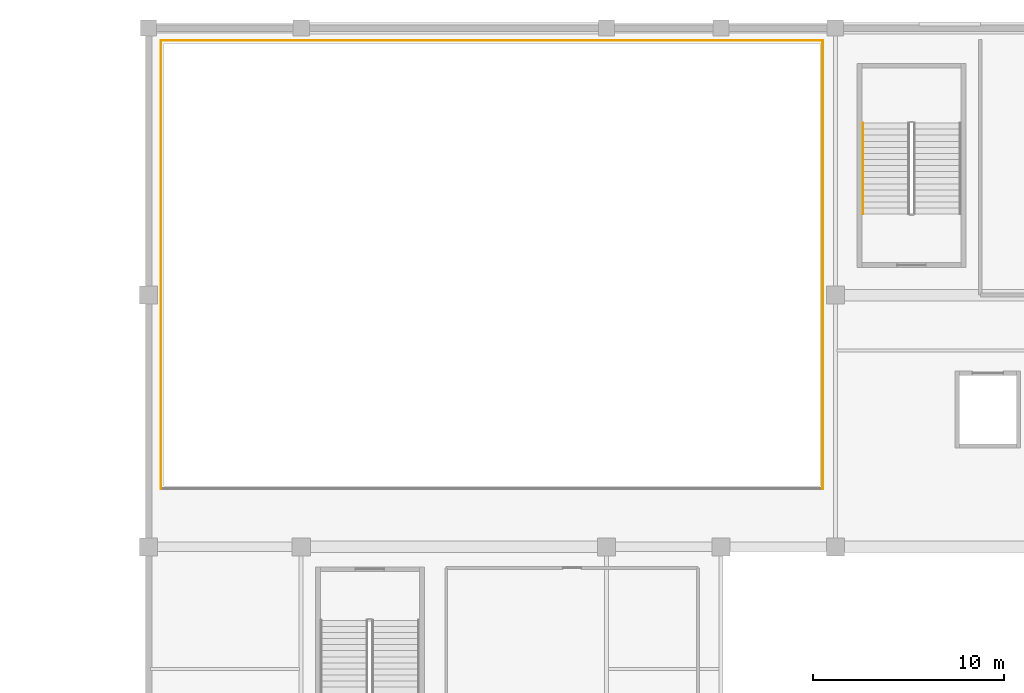
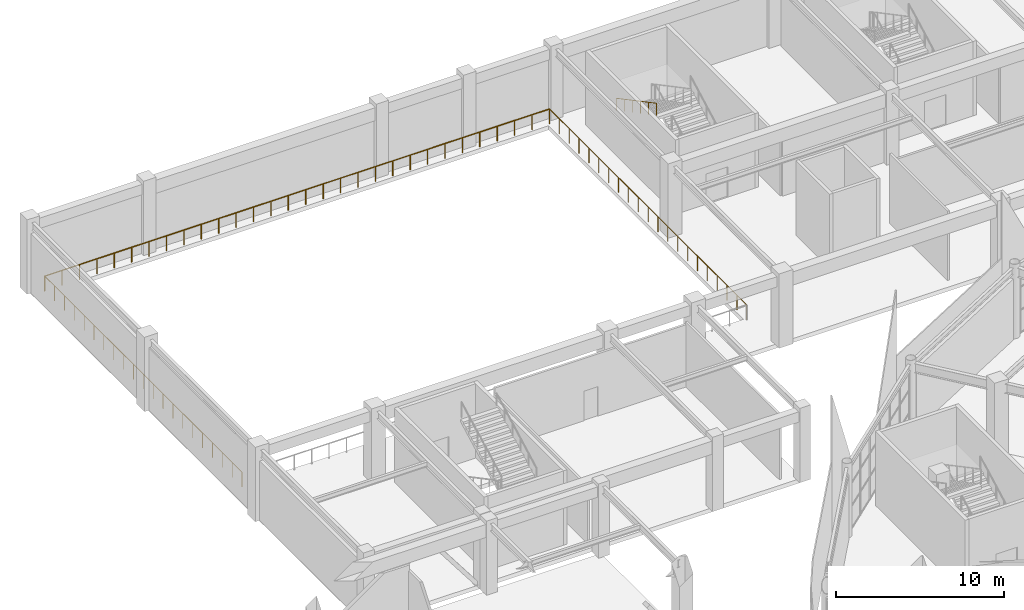
# One storey, part 117 of 120: 4 railings.
"""IFC4 building model written with IfcOpenShell, lengths in metres."""

from ifc_helpers import new_model, si_unit, direction, frame, origin, origin_2d, place, context, subcontext, project, spatial, circle, extrude, material, type_object, element, save


model = new_model("IFC4")

# Units and contexts
model_context = context("Model", 3, precision=1e-05, world=origin(), true_north=direction((0.0, 1.0)))
body_context = subcontext(model_context, "Body", "Model", "MODEL_VIEW")
ifc_project = project(units=[si_unit("LENGTHUNIT", "METRE"), si_unit("AREAUNIT", "SQUARE_METRE"), si_unit("VOLUMEUNIT", "CUBIC_METRE"), si_unit("PLANEANGLEUNIT", "RADIAN"), si_unit("MASSUNIT", "GRAM", prefix="KILO")], contexts=[model_context])

# Site, building, storey
site_placement = place(None, origin())
site = spatial("IfcSite", under=ifc_project, at=site_placement, CompositionType="ELEMENT")
building_placement = place(site_placement, origin())
building = spatial("IfcBuilding", under=site, at=building_placement, Name="Cuetzalor Civic Arena", CompositionType="ELEMENT")
storey_placement = place(building_placement, frame((0.0, 0.0, 6.0)))
storey = spatial("IfcBuildingStorey", under=building, at=storey_placement, Name="L01", CompositionType="ELEMENT", Elevation=6.0)

# Railings
ifc_material_1 = material(Name="Reseda-green architectural Steel S355 balustrade", Category="steel")
railing_type_1 = type_object("IfcRailingType", Name="InteriorVoidBalustrade_1100", PredefinedType="BALUSTRADE", material=ifc_material_1)
railing_1_placement = place(storey_placement, frame((-36.64990234375, 51.35009765625, 0.0)))
element("IfcRailing", 1, at=railing_1_placement, inside=storey, type_object=railing_type_1, Name="Practice Court Mezzanine Void Balustrade L01-2", PredefinedType="BALUSTRADE", context=body_context, shape_type="SweptSolid", body=[
    extrude(circle(Radius=0.02392578125, at=origin_2d()), frame((0.0, 0.0, 1.076171875), z_axis=(0.0, 1.0, 0.0), x_axis=(-1.0, 0.0, 0.0)), (0.0, 0.0, 1.0), 23.5),
    extrude(circle(Radius=0.02099609375, at=origin_2d()), origin(), (0.0, 0.0, 1.0), 1.052001953125),
    extrude(circle(Radius=0.02099609375, at=origin_2d()), frame((0.0, 1.175048828125, 0.0)), (0.0, 0.0, 1.0), 1.052001953125),
    extrude(circle(Radius=0.02099609375, at=origin_2d()), frame((0.0, 2.35009765625, 0.0)), (0.0, 0.0, 1.0), 1.052001953125),
    extrude(circle(Radius=0.02099609375, at=origin_2d()), frame((0.0, 3.52490234375, 0.0)), (0.0, 0.0, 1.0), 1.052001953125),
    extrude(circle(Radius=0.02099609375, at=origin_2d()), frame((0.0, 4.699951171875, 0.0)), (0.0, 0.0, 1.0), 1.052001953125),
    extrude(circle(Radius=0.02099609375, at=origin_2d()), frame((0.0, 5.875, 0.0)), (0.0, 0.0, 1.0), 1.052001953125),
    extrude(circle(Radius=0.02099609375, at=origin_2d()), frame((0.0, 7.050048828125, 0.0)), (0.0, 0.0, 1.0), 1.052001953125),
    extrude(circle(Radius=0.02099609375, at=origin_2d()), frame((0.0, 8.22509765625, 0.0)), (0.0, 0.0, 1.0), 1.052001953125),
    extrude(circle(Radius=0.02099609375, at=origin_2d()), frame((0.0, 9.39990234375, 0.0)), (0.0, 0.0, 1.0), 1.052001953125),
    extrude(circle(Radius=0.02099609375, at=origin_2d()), frame((0.0, 10.574951171875, 0.0)), (0.0, 0.0, 1.0), 1.052001953125),
    extrude(circle(Radius=0.02099609375, at=origin_2d()), frame((0.0, 11.75, 0.0)), (0.0, 0.0, 1.0), 1.052001953125),
    extrude(circle(Radius=0.02099609375, at=origin_2d()), frame((0.0, 12.925048828125, 0.0)), (0.0, 0.0, 1.0), 1.052001953125),
    extrude(circle(Radius=0.02099609375, at=origin_2d()), frame((0.0, 14.10009765625, 0.0)), (0.0, 0.0, 1.0), 1.052001953125),
    extrude(circle(Radius=0.02099609375, at=origin_2d()), frame((0.0, 15.27490234375, 0.0)), (0.0, 0.0, 1.0), 1.052001953125),
    extrude(circle(Radius=0.02099609375, at=origin_2d()), frame((0.0, 16.449951171875, 0.0)), (0.0, 0.0, 1.0), 1.052001953125),
    extrude(circle(Radius=0.02099609375, at=origin_2d()), frame((0.0, 17.625, 0.0)), (0.0, 0.0, 1.0), 1.052001953125),
    extrude(circle(Radius=0.02099609375, at=origin_2d()), frame((0.0, 18.800048828125, 0.0)), (0.0, 0.0, 1.0), 1.052001953125),
    extrude(circle(Radius=0.02099609375, at=origin_2d()), frame((0.0, 19.97509765625, 0.0)), (0.0, 0.0, 1.0), 1.052001953125),
    extrude(circle(Radius=0.02099609375, at=origin_2d()), frame((0.0, 21.14990234375, 0.0)), (0.0, 0.0, 1.0), 1.052001953125),
    extrude(circle(Radius=0.02099609375, at=origin_2d()), frame((0.0, 22.324951171875, 0.0)), (0.0, 0.0, 1.0), 1.052001953125),
    extrude(circle(Radius=0.02099609375, at=origin_2d()), frame((0.0, 23.5, 0.0)), (0.0, 0.0, 1.0), 1.052001953125),
])
railing_2_placement = place(storey_placement, frame((-36.64990234375, 74.85009765625, 0.0)))
element("IfcRailing", 2, at=railing_2_placement, inside=storey, type_object=railing_type_1, Name="Practice Court Mezzanine Void Balustrade L01-3", PredefinedType="BALUSTRADE", context=body_context, shape_type="SweptSolid", body=[
    extrude(circle(Radius=0.02392578125, at=origin_2d()), frame((0.0, 0.0, 1.076171875), z_axis=(-1.0, 0.0, 0.0), x_axis=(0.0, -1.0, 0.0)), (0.0, 0.0, 1.0), 34.7001953125),
    extrude(circle(Radius=0.02099609375, at=origin_2d()), origin(), (0.0, 0.0, 1.0), 1.052001953125),
    extrude(circle(Radius=0.02099609375, at=origin_2d()), frame((-1.196533203125, 0.0, 0.0)), (0.0, 0.0, 1.0), 1.052001953125),
    extrude(circle(Radius=0.02099609375, at=origin_2d()), frame((-2.39306640625, 0.0, 0.0)), (0.0, 0.0, 1.0), 1.052001953125),
    extrude(circle(Radius=0.02099609375, at=origin_2d()), frame((-3.589599609375, 0.0, 0.0)), (0.0, 0.0, 1.0), 1.052001953125),
    extrude(circle(Radius=0.02099609375, at=origin_2d()), frame((-4.7861328125, 0.0, 0.0)), (0.0, 0.0, 1.0), 1.052001953125),
    extrude(circle(Radius=0.02099609375, at=origin_2d()), frame((-5.98291015625, 0.0, 0.0)), (0.0, 0.0, 1.0), 1.052001953125),
    extrude(circle(Radius=0.02099609375, at=origin_2d()), frame((-7.179443359375, 0.0, 0.0)), (0.0, 0.0, 1.0), 1.052001953125),
    extrude(circle(Radius=0.02099609375, at=origin_2d()), frame((-8.3759765625, 0.0, 0.0)), (0.0, 0.0, 1.0), 1.052001953125),
    extrude(circle(Radius=0.02099609375, at=origin_2d()), frame((-9.572509765625, 0.0, 0.0)), (0.0, 0.0, 1.0), 1.052001953125),
    extrude(circle(Radius=0.02099609375, at=origin_2d()), frame((-10.76904296875, 0.0, 0.0)), (0.0, 0.0, 1.0), 1.052001953125),
    extrude(circle(Radius=0.02099609375, at=origin_2d()), frame((-11.965576171875, 0.0, 0.0)), (0.0, 0.0, 1.0), 1.052001953125),
    extrude(circle(Radius=0.02099609375, at=origin_2d()), frame((-13.162109375, 0.0, 0.0)), (0.0, 0.0, 1.0), 1.052001953125),
    extrude(circle(Radius=0.02099609375, at=origin_2d()), frame((-14.358642578125, 0.0, 0.0)), (0.0, 0.0, 1.0), 1.052001953125),
    extrude(circle(Radius=0.02099609375, at=origin_2d()), frame((-15.55517578125, 0.0, 0.0)), (0.0, 0.0, 1.0), 1.052001953125),
    extrude(circle(Radius=0.02099609375, at=origin_2d()), frame((-16.751708984375, 0.0, 0.0)), (0.0, 0.0, 1.0), 1.052001953125),
    extrude(circle(Radius=0.02099609375, at=origin_2d()), frame((-17.948486328125, 0.0, 0.0)), (0.0, 0.0, 1.0), 1.052001953125),
    extrude(circle(Radius=0.02099609375, at=origin_2d()), frame((-19.14501953125, 0.0, 0.0)), (0.0, 0.0, 1.0), 1.052001953125),
    extrude(circle(Radius=0.02099609375, at=origin_2d()), frame((-20.341552734375, 0.0, 0.0)), (0.0, 0.0, 1.0), 1.052001953125),
    extrude(circle(Radius=0.02099609375, at=origin_2d()), frame((-21.5380859375, 0.0, 0.0)), (0.0, 0.0, 1.0), 1.052001953125),
    extrude(circle(Radius=0.02099609375, at=origin_2d()), frame((-22.734619140625, 0.0, 0.0)), (0.0, 0.0, 1.0), 1.052001953125),
    extrude(circle(Radius=0.02099609375, at=origin_2d()), frame((-23.93115234375, 0.0, 0.0)), (0.0, 0.0, 1.0), 1.052001953125),
    extrude(circle(Radius=0.02099609375, at=origin_2d()), frame((-25.127685546875, 0.0, 0.0)), (0.0, 0.0, 1.0), 1.052001953125),
    extrude(circle(Radius=0.02099609375, at=origin_2d()), frame((-26.32421875, 0.0, 0.0)), (0.0, 0.0, 1.0), 1.052001953125),
    extrude(circle(Radius=0.02099609375, at=origin_2d()), frame((-27.520751953125, 0.0, 0.0)), (0.0, 0.0, 1.0), 1.052001953125),
    extrude(circle(Radius=0.02099609375, at=origin_2d()), frame((-28.71728515625, 0.0, 0.0)), (0.0, 0.0, 1.0), 1.052001953125),
    extrude(circle(Radius=0.02099609375, at=origin_2d()), frame((-29.9140625, 0.0, 0.0)), (0.0, 0.0, 1.0), 1.052001953125),
    extrude(circle(Radius=0.02099609375, at=origin_2d()), frame((-31.110595703125, 0.0, 0.0)), (0.0, 0.0, 1.0), 1.052001953125),
    extrude(circle(Radius=0.02099609375, at=origin_2d()), frame((-32.30712890625, 0.0, 0.0)), (0.0, 0.0, 1.0), 1.052001953125),
    extrude(circle(Radius=0.02099609375, at=origin_2d()), frame((-33.503662109375, 0.0, 0.0)), (0.0, 0.0, 1.0), 1.052001953125),
    extrude(circle(Radius=0.02099609375, at=origin_2d()), frame((-34.7001953125, 0.0, 0.0)), (0.0, 0.0, 1.0), 1.052001953125),
])
railing_3_placement = place(storey_placement, frame((-71.35009765625, 74.85009765625, 0.0)))
element("IfcRailing", 3, at=railing_3_placement, inside=storey, type_object=railing_type_1, Name="Practice Court Mezzanine Void Balustrade L01-4", PredefinedType="BALUSTRADE", context=body_context, shape_type="SweptSolid", body=[
    extrude(circle(Radius=0.02392578125, at=origin_2d()), frame((0.0, 0.0, 1.076171875), z_axis=(0.0, -1.0, 0.0), x_axis=(1.0, 0.0, 0.0)), (0.0, 0.0, 1.0), 23.5),
    extrude(circle(Radius=0.02099609375, at=origin_2d()), origin(), (0.0, 0.0, 1.0), 1.052001953125),
    extrude(circle(Radius=0.02099609375, at=origin_2d()), frame((0.0, -1.175048828125, 0.0)), (0.0, 0.0, 1.0), 1.052001953125),
    extrude(circle(Radius=0.02099609375, at=origin_2d()), frame((0.0, -2.35009765625, 0.0)), (0.0, 0.0, 1.0), 1.052001953125),
    extrude(circle(Radius=0.02099609375, at=origin_2d()), frame((0.0, -3.52490234375, 0.0)), (0.0, 0.0, 1.0), 1.052001953125),
    extrude(circle(Radius=0.02099609375, at=origin_2d()), frame((0.0, -4.699951171875, 0.0)), (0.0, 0.0, 1.0), 1.052001953125),
    extrude(circle(Radius=0.02099609375, at=origin_2d()), frame((0.0, -5.875, 0.0)), (0.0, 0.0, 1.0), 1.052001953125),
    extrude(circle(Radius=0.02099609375, at=origin_2d()), frame((0.0, -7.050048828125, 0.0)), (0.0, 0.0, 1.0), 1.052001953125),
    extrude(circle(Radius=0.02099609375, at=origin_2d()), frame((0.0, -8.22509765625, 0.0)), (0.0, 0.0, 1.0), 1.052001953125),
    extrude(circle(Radius=0.02099609375, at=origin_2d()), frame((0.0, -9.39990234375, 0.0)), (0.0, 0.0, 1.0), 1.052001953125),
    extrude(circle(Radius=0.02099609375, at=origin_2d()), frame((0.0, -10.574951171875, 0.0)), (0.0, 0.0, 1.0), 1.052001953125),
    extrude(circle(Radius=0.02099609375, at=origin_2d()), frame((0.0, -11.75, 0.0)), (0.0, 0.0, 1.0), 1.052001953125),
    extrude(circle(Radius=0.02099609375, at=origin_2d()), frame((0.0, -12.925048828125, 0.0)), (0.0, 0.0, 1.0), 1.052001953125),
    extrude(circle(Radius=0.02099609375, at=origin_2d()), frame((0.0, -14.10009765625, 0.0)), (0.0, 0.0, 1.0), 1.052001953125),
    extrude(circle(Radius=0.02099609375, at=origin_2d()), frame((0.0, -15.27490234375, 0.0)), (0.0, 0.0, 1.0), 1.052001953125),
    extrude(circle(Radius=0.02099609375, at=origin_2d()), frame((0.0, -16.449951171875, 0.0)), (0.0, 0.0, 1.0), 1.052001953125),
    extrude(circle(Radius=0.02099609375, at=origin_2d()), frame((0.0, -17.625, 0.0)), (0.0, 0.0, 1.0), 1.052001953125),
    extrude(circle(Radius=0.02099609375, at=origin_2d()), frame((0.0, -18.800048828125, 0.0)), (0.0, 0.0, 1.0), 1.052001953125),
    extrude(circle(Radius=0.02099609375, at=origin_2d()), frame((0.0, -19.97509765625, 0.0)), (0.0, 0.0, 1.0), 1.052001953125),
    extrude(circle(Radius=0.02099609375, at=origin_2d()), frame((0.0, -21.14990234375, 0.0)), (0.0, 0.0, 1.0), 1.052001953125),
    extrude(circle(Radius=0.02099609375, at=origin_2d()), frame((0.0, -22.324951171875, 0.0)), (0.0, 0.0, 1.0), 1.052001953125),
    extrude(circle(Radius=0.02099609375, at=origin_2d()), frame((0.0, -23.5, 0.0)), (0.0, 0.0, 1.0), 1.052001953125),
])
ifc_material_2 = material(Name="Galvanised steel S355", Category="steel")
railing_type_2 = type_object("IfcRailingType", Name="StairPitchHandrail_900", PredefinedType="HANDRAIL", material=ifc_material_2)
railing_4_placement = place(storey_placement, frame((-34.550048828125, 70.52001953125, 2.86865234375)))
element("IfcRailing", 4, at=railing_4_placement, inside=storey, type_object=railing_type_2, Name="L01 ST-24 stair handrail 2", PredefinedType="HANDRAIL", context=body_context, shape_type="SweptSolid", body=[
    extrude(circle(Radius=0.02392578125, at=origin_2d()), frame((0.0, 0.0, 0.8759765625), z_axis=(0.0, -0.883332211103, 0.468747485143), x_axis=(1.0, 0.0, 0.0)), (0.0, 0.0, 1.0), 5.400146484375),
    extrude(circle(Radius=0.02099609375, at=origin_2d()), origin(), (0.0, 0.0, 1.0), 0.851806640625),
    extrude(circle(Radius=0.02099609375, at=origin_2d()), frame((0.0, -0.9541015625, 0.50634765625)), (0.0, 0.0, 1.0), 0.851806640625),
    extrude(circle(Radius=0.02099609375, at=origin_2d()), frame((0.0, -1.907958984375, 1.012451171875)), (0.0, 0.0, 1.0), 0.851806640625),
    extrude(circle(Radius=0.02099609375, at=origin_2d()), frame((0.0, -2.862060546875, 1.518798828125)), (0.0, 0.0, 1.0), 0.851806640625),
    extrude(circle(Radius=0.02099609375, at=origin_2d()), frame((0.0, -3.81591796875, 2.02490234375)), (0.0, 0.0, 1.0), 0.851806640625),
    extrude(circle(Radius=0.02099609375, at=origin_2d()), frame((0.0, -4.77001953125, 2.53125)), (0.0, 0.0, 1.0), 0.851806640625),
])

save(model, "model.ifc")
